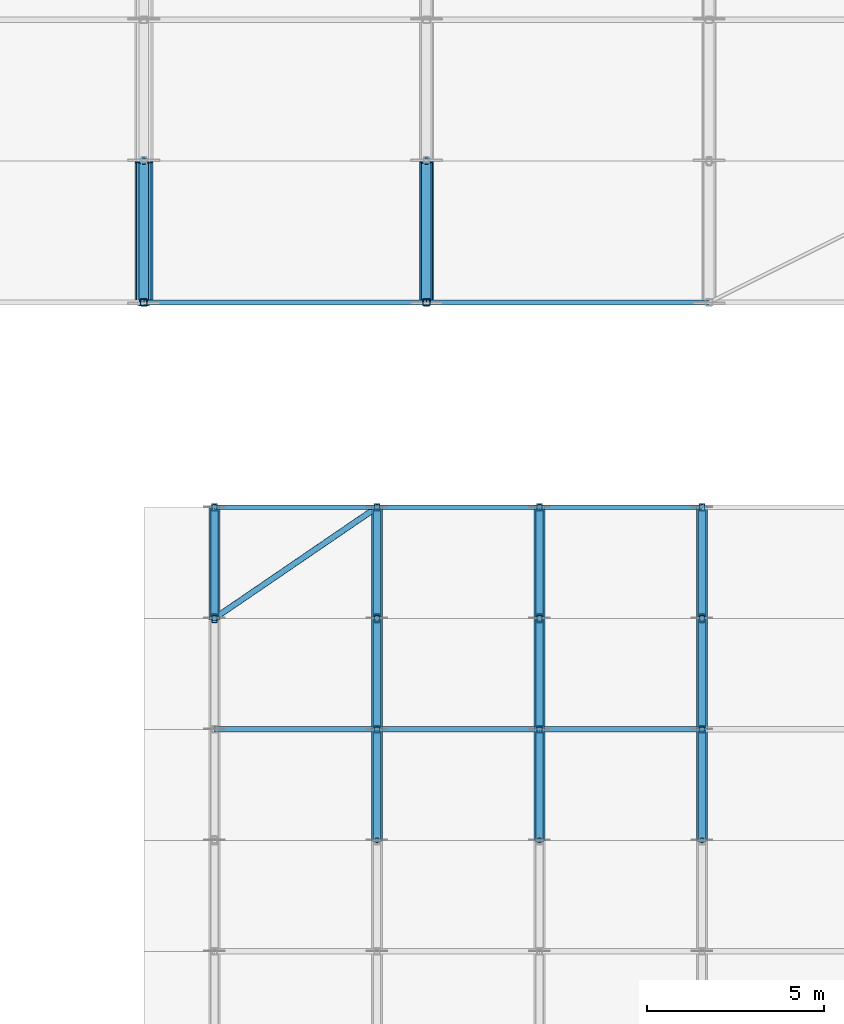
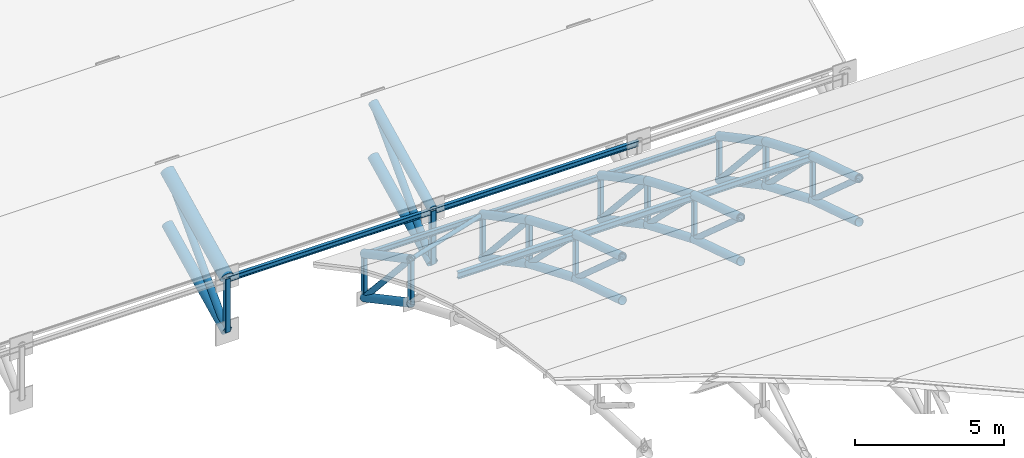
# One storey, part 43 of 98: 58 members.
"""IFC4 building model written with IfcOpenShell, lengths in metres."""

from ifc_helpers import new_model, si_unit, direction, frame, origin, origin_2d, place, context, subcontext, project, spatial, hollow_rectangle, hollow_circle, i_section, extrude, material, material_profile, profile_set, type_object, element, save


model = new_model("IFC4")

# Units and contexts
model_context = context("Model", 3, precision=1e-05, world=origin(), true_north=direction((0.0, 1.0)))
body_context = subcontext(model_context, "Body", "Model", "MODEL_VIEW")
ifc_project = project(units=[si_unit("LENGTHUNIT", "METRE"), si_unit("AREAUNIT", "SQUARE_METRE"), si_unit("VOLUMEUNIT", "CUBIC_METRE"), si_unit("PLANEANGLEUNIT", "RADIAN"), si_unit("MASSUNIT", "GRAM", prefix="KILO")], contexts=[model_context])

# Site, building, storey
site_placement = place(None, origin())
site = spatial("IfcSite", under=ifc_project, at=site_placement, CompositionType="ELEMENT")
building_placement = place(site_placement, origin())
building = spatial("IfcBuilding", under=site, at=building_placement, Name="Tlacozan Convention Centre", CompositionType="ELEMENT")
storey_placement = place(building_placement, frame((0.0, 0.0, 25.800048828125)))
storey = spatial("IfcBuildingStorey", under=building, at=storey_placement, Name="Roof", CompositionType="ELEMENT", Elevation=25.800048828125)

# Members
ifc_material_1 = material(Name="Steel ASTM A500 Grade C", Category="steel")
ifc_material_profile_1 = material_profile(ifc_material_1, hollow_circle(Radius=0.203125, WallThickness=0.015869140625, at=origin_2d()), Name="OC 406.4x15.9")
ifc_profile_set_1 = profile_set([ifc_material_profile_1], Name="Steel ASTM A500 Grade C")
member_type_1 = type_object("IfcMemberType", Name="Arch Bottom Chord OC 406.4x15.9", PredefinedType="CHORD", material=ifc_profile_set_1)
for number, where, z_axis, x_axis, name in (
    (1, (144.0, 62.0, -12.800048828125), (0.0, 0.897300183135, 0.441420866459), (-1.0, 0.0, 0.0), "V2A Roof Truss 19 Bottom Chord 1"),
    (2, (152.0, 62.0, -12.800048828125), (0.0, 0.897300183135, 0.441420866459), (-1.0, 0.0, 0.0), "V2A Roof Truss 20 Bottom Chord 1"),
):
    element("IfcMember", number, at=place(storey_placement, frame(where, z_axis=z_axis, x_axis=x_axis)), inside=storey, type_object=member_type_1, Name=name, PredefinedType="CHORD", context=body_context, shape_type="SweptSolid", body=[
        extrude(hollow_circle(Radius=0.203125, WallThickness=0.015869140625, at=origin_2d()), origin(), (0.0, 0.0, 1.0), 4.457763671875),
    ])
ifc_material_profile_2 = material_profile(ifc_material_1, hollow_circle(Radius=0.25390625, WallThickness=0.01904296875, at=origin_2d()), Name="OC 508.0x19.1")
ifc_profile_set_2 = profile_set([ifc_material_profile_2], Name="Steel ASTM A500 Grade C")
member_type_2 = type_object("IfcMemberType", Name="Arch Top Chord OC 508x19.1", PredefinedType="CHORD", material=ifc_profile_set_2)
member_1_placement = place(storey_placement, frame((144.0, 62.0, -10.60009765625), z_axis=(0.0, 0.897300183135, 0.441420866459), x_axis=(-1.0, 0.0, 0.0)))
element("IfcMember", 3, at=member_1_placement, inside=storey, type_object=member_type_2, Name="V2A Roof Truss 19 Top Chord 1", PredefinedType="CHORD", context=body_context, shape_type="SweptSolid", body=[
    extrude(hollow_circle(Radius=0.25390625, WallThickness=0.01904296875, at=origin_2d()), origin(), (0.0, 0.0, 1.0), 4.457763671875),
])
ifc_material_profile_3 = material_profile(ifc_material_1, hollow_circle(Radius=0.136474609375, WallThickness=0.0126953125, at=origin_2d()), Name="OC 273.1x12.7")
ifc_profile_set_3 = profile_set([ifc_material_profile_3], Name="Steel ASTM A500 Grade C")
member_type_3 = type_object("IfcMemberType", Name="Arch Web Diagonal OC 273.1x12.7", PredefinedType="BRACE", material=ifc_profile_set_3)
for number, where, z_axis, x_axis, name in (
    (4, (144.0, 62.0, -12.800048828125), (0.0, 0.69244032859, 0.721475149497), (-1.0, 0.0, 0.0), "V2A Roof Truss 19 Web Diagonal 1"),
    (5, (152.0, 62.0, -12.800048828125), (0.0, 0.69244032859, 0.721475149497), (-1.0, 0.0, 0.0), "V2A Roof Truss 20 Web Diagonal 1"),
):
    element("IfcMember", number, at=place(storey_placement, frame(where, z_axis=z_axis, x_axis=x_axis)), inside=storey, type_object=member_type_3, Name=name, PredefinedType="BRACE", context=body_context, shape_type="SweptSolid", body=[
        extrude(hollow_circle(Radius=0.136474609375, WallThickness=0.0126953125, at=origin_2d()), origin(), (0.0, 0.0, 1.0), 5.776611328125),
    ])
ifc_material_profile_4 = material_profile(ifc_material_1, hollow_rectangle(XDim=0.203125, YDim=0.203125, WallThickness=0.0126953125, InnerFilletRadius=0.0126953125, OuterFilletRadius=0.02490234375, at=origin_2d()), Name="OR 203x203x12.7")
ifc_profile_set_4 = profile_set([ifc_material_profile_4], Name="Steel ASTM A500 Grade C")
member_type_4 = type_object("IfcMemberType", Name="Arch Web Strut OR 203x203x12.7", PredefinedType="STRUT", material=ifc_profile_set_4)
for number, where, z_axis, x_axis, name in (
    (6, (144.0, 62.0, -12.800048828125), (0.0, 0.0, 1.0), (1.0, 0.0, 0.0), "V2A Roof Truss 19 Vertical Strut 1"),
    (7, (152.0, 62.0, -12.800048828125), (0.0, 0.0, 1.0), (1.0, 0.0, 0.0), "V2A Roof Truss 20 Vertical Strut 1"),
):
    element("IfcMember", number, at=place(storey_placement, frame(where, z_axis=z_axis, x_axis=x_axis)), inside=storey, type_object=member_type_4, Name=name, PredefinedType="STRUT", context=body_context, shape_type="SweptSolid", body=[
        extrude(hollow_rectangle(XDim=0.203125, YDim=0.203125, WallThickness=0.0126953125, InnerFilletRadius=0.0126953125, OuterFilletRadius=0.02490234375, at=origin_2d()), origin(), (0.0, 0.0, 1.0), 2.199951171875),
    ])
ifc_material_profile_5 = material_profile(ifc_material_1, hollow_circle(Radius=0.084228515625, WallThickness=0.007080078125, at=origin_2d()), Name="OC 168.3x7.1")
ifc_profile_set_5 = profile_set([ifc_material_profile_5], Name="Steel ASTM A500 Grade C")
member_type_5 = type_object("IfcMemberType", Name="Canopy Tie Brace OC 168.3x7.1", PredefinedType="BRACE", material=ifc_profile_set_5)
member_2_placement = place(storey_placement, frame((146.0, 53.058349609375, -5.124755859375), z_axis=(0.790806198317, 0.540075053601, -0.288000856218), x_axis=(-0.563970393817, 0.825795007794, 0.0)))
element("IfcMember", 8, at=member_2_placement, inside=storey, type_object=member_type_5, Name="V3A Roof Truss Plan Brace 1.12", PredefinedType="BRACE", context=body_context, shape_type="SweptSolid", body=[
    extrude(hollow_circle(Radius=0.084228515625, WallThickness=0.007080078125, at=origin_2d()), origin(), (0.0, 0.0, 1.0), 5.81689453125),
])
ifc_material_2 = material(Name="Steel ASTM A992 Grade 50", Category="steel")
ifc_material_profile_6 = material_profile(ifc_material_2, i_section(OverallWidth=0.14697265625, OverallDepth=0.261962890625, WebThickness=0.006591796875, FlangeThickness=0.01123046875, FilletRadius=0.008056640625, at=origin_2d()), Name="IR 254x38.5")
ifc_profile_set_6 = profile_set([ifc_material_profile_6], Name="Steel ASTM A992 Grade 50")
member_type_6 = type_object("IfcMemberType", Name="Plenary Acoustic Purlin IR 254x38.5", PredefinedType="PURLIN", material=ifc_profile_set_6)
member_3_placement = place(storey_placement, frame((146.0, 49.916748046875, -3.87939453125), z_axis=(1.0, 0.0, 0.0), x_axis=(0.0, 1.0, 0.0)))
element("IfcMember", 9, at=member_3_placement, inside=storey, type_object=member_type_6, Name="V3A Roof Truss Purlin 1.11", PredefinedType="PURLIN", context=body_context, shape_type="SweptSolid", body=[
    extrude(i_section(OverallWidth=0.14697265625, OverallDepth=0.261962890625, WebThickness=0.006591796875, FlangeThickness=0.01123046875, FilletRadius=0.008056640625, at=origin_2d()), origin(), (0.0, 0.0, 1.0), 4.60009765625),
])
member_4_placement = place(storey_placement, frame((150.60009765625, 49.916748046875, -3.87939453125), z_axis=(1.0, 0.0, 0.0), x_axis=(0.0, 1.0, 0.0)))
element("IfcMember", 10, at=member_4_placement, inside=storey, type_object=member_type_6, Name="V3A Roof Truss Purlin 2.11", PredefinedType="PURLIN", context=body_context, shape_type="SweptSolid", body=[
    extrude(i_section(OverallWidth=0.14697265625, OverallDepth=0.261962890625, WebThickness=0.006591796875, FlangeThickness=0.01123046875, FilletRadius=0.008056640625, at=origin_2d()), origin(), (0.0, 0.0, 1.0), 4.599853515625),
])
member_5_placement = place(storey_placement, frame((155.199951171875, 49.916748046875, -3.87939453125), z_axis=(1.0, 0.0, 0.0), x_axis=(0.0, 1.0, 0.0)))
element("IfcMember", 11, at=member_5_placement, inside=storey, type_object=member_type_6, Name="V3A Roof Truss Purlin 3.11", PredefinedType="PURLIN", context=body_context, shape_type="SweptSolid", body=[
    extrude(i_section(OverallWidth=0.14697265625, OverallDepth=0.261962890625, WebThickness=0.006591796875, FlangeThickness=0.01123046875, FilletRadius=0.008056640625, at=origin_2d()), origin(), (0.0, 0.0, 1.0), 4.60009765625),
])
ifc_material_profile_7 = material_profile(ifc_material_1, hollow_circle(Radius=0.161865234375, WallThickness=0.0126953125, at=origin_2d()), Name="OC 323.9x12.7")
ifc_profile_set_7 = profile_set([ifc_material_profile_7], Name="Steel ASTM A500 Grade C")
member_type_7 = type_object("IfcMemberType", Name="Plenary Arch Chord OC 323.9x12.7", PredefinedType="CHORD", material=ifc_profile_set_7)
for number, where, z_axis, x_axis, name in (
    (12, (146.0, 53.058349609375, -5.124755859375), (0.0, 0.882379514235, -0.47053840742), (-1.0, 0.0, 0.0), "V3A Roof Truss 1 Top Chord 12"),
    (13, (146.0, 53.058349609375, -6.9248046875), (0.0, 0.882379514235, -0.47053840742), (-1.0, 0.0, 0.0), "V3A Roof Truss 1 Bottom Chord 12"),
):
    element("IfcMember", number, at=place(storey_placement, frame(where, z_axis=z_axis, x_axis=x_axis)), inside=storey, type_object=member_type_7, Name=name, PredefinedType="CHORD", context=body_context, shape_type="SweptSolid", body=[
        extrude(hollow_circle(Radius=0.161865234375, WallThickness=0.0126953125, at=origin_2d()), origin(), (0.0, 0.0, 1.0), 3.560302734375),
    ])
for number, where, z_axis, x_axis, name in (
    (14, (150.60009765625, 46.77490234375, -2.82861328125), (0.0, 0.954132369199, -0.299385073186), (-1.0, 0.0, 0.0), "V3A Roof Truss 2 Top Chord 10"),
    (15, (150.60009765625, 46.77490234375, -4.628662109375), (0.0, 0.954132369199, -0.299385073186), (-1.0, 0.0, 0.0), "V3A Roof Truss 2 Bottom Chord 10"),
):
    element("IfcMember", number, at=place(storey_placement, frame(where, z_axis=z_axis, x_axis=x_axis)), inside=storey, type_object=member_type_7, Name=name, PredefinedType="CHORD", context=body_context, shape_type="SweptSolid", body=[
        extrude(hollow_circle(Radius=0.161865234375, WallThickness=0.0126953125, at=origin_2d()), origin(), (0.0, 0.0, 1.0), 3.29296875),
    ])
for number, where, z_axis, x_axis, name in (
    (16, (150.60009765625, 49.916748046875, -3.814453125), (0.0, 0.922941057271, -0.384941300464), (-1.0, 0.0, 0.0), "V3A Roof Truss 2 Top Chord 11"),
    (17, (150.60009765625, 49.916748046875, -5.614501953125), (0.0, 0.922941057271, -0.384941300464), (-1.0, 0.0, 0.0), "V3A Roof Truss 2 Bottom Chord 11"),
):
    element("IfcMember", number, at=place(storey_placement, frame(where, z_axis=z_axis, x_axis=x_axis)), inside=storey, type_object=member_type_7, Name=name, PredefinedType="CHORD", context=body_context, shape_type="SweptSolid", body=[
        extrude(hollow_circle(Radius=0.161865234375, WallThickness=0.0126953125, at=origin_2d()), origin(), (0.0, 0.0, 1.0), 3.40380859375),
    ])
for number, where, z_axis, x_axis, name in (
    (18, (150.60009765625, 53.058349609375, -5.124755859375), (0.0, 0.882379514235, -0.47053840742), (-1.0, 0.0, 0.0), "V3A Roof Truss 2 Top Chord 12"),
    (19, (150.60009765625, 53.058349609375, -6.9248046875), (0.0, 0.882379514235, -0.47053840742), (-1.0, 0.0, 0.0), "V3A Roof Truss 2 Bottom Chord 12"),
):
    element("IfcMember", number, at=place(storey_placement, frame(where, z_axis=z_axis, x_axis=x_axis)), inside=storey, type_object=member_type_7, Name=name, PredefinedType="CHORD", context=body_context, shape_type="SweptSolid", body=[
        extrude(hollow_circle(Radius=0.161865234375, WallThickness=0.0126953125, at=origin_2d()), origin(), (0.0, 0.0, 1.0), 3.560302734375),
    ])
for number, where, z_axis, x_axis, name in (
    (20, (155.199951171875, 46.77490234375, -2.82861328125), (0.0, 0.954132369199, -0.299385073186), (-1.0, 0.0, 0.0), "V3A Roof Truss 3 Top Chord 10"),
    (21, (155.199951171875, 46.77490234375, -4.628662109375), (0.0, 0.954132369199, -0.299385073186), (-1.0, 0.0, 0.0), "V3A Roof Truss 3 Bottom Chord 10"),
):
    element("IfcMember", number, at=place(storey_placement, frame(where, z_axis=z_axis, x_axis=x_axis)), inside=storey, type_object=member_type_7, Name=name, PredefinedType="CHORD", context=body_context, shape_type="SweptSolid", body=[
        extrude(hollow_circle(Radius=0.161865234375, WallThickness=0.0126953125, at=origin_2d()), origin(), (0.0, 0.0, 1.0), 3.29296875),
    ])
for number, where, z_axis, x_axis, name in (
    (22, (155.199951171875, 49.916748046875, -3.814453125), (0.0, 0.922941057271, -0.384941300464), (-1.0, 0.0, 0.0), "V3A Roof Truss 3 Top Chord 11"),
    (23, (155.199951171875, 49.916748046875, -5.614501953125), (0.0, 0.922941057271, -0.384941300464), (-1.0, 0.0, 0.0), "V3A Roof Truss 3 Bottom Chord 11"),
):
    element("IfcMember", number, at=place(storey_placement, frame(where, z_axis=z_axis, x_axis=x_axis)), inside=storey, type_object=member_type_7, Name=name, PredefinedType="CHORD", context=body_context, shape_type="SweptSolid", body=[
        extrude(hollow_circle(Radius=0.161865234375, WallThickness=0.0126953125, at=origin_2d()), origin(), (0.0, 0.0, 1.0), 3.40380859375),
    ])
for number, where, z_axis, x_axis, name in (
    (24, (155.199951171875, 53.058349609375, -5.124755859375), (0.0, 0.882379514235, -0.47053840742), (-1.0, 0.0, 0.0), "V3A Roof Truss 3 Top Chord 12"),
    (25, (155.199951171875, 53.058349609375, -6.9248046875), (0.0, 0.882379514235, -0.47053840742), (-1.0, 0.0, 0.0), "V3A Roof Truss 3 Bottom Chord 12"),
):
    element("IfcMember", number, at=place(storey_placement, frame(where, z_axis=z_axis, x_axis=x_axis)), inside=storey, type_object=member_type_7, Name=name, PredefinedType="CHORD", context=body_context, shape_type="SweptSolid", body=[
        extrude(hollow_circle(Radius=0.161865234375, WallThickness=0.0126953125, at=origin_2d()), origin(), (0.0, 0.0, 1.0), 3.560302734375),
    ])
for number, where, z_axis, x_axis, name in (
    (26, (159.800048828125, 46.77490234375, -2.82861328125), (0.0, 0.954132369199, -0.299385073186), (-1.0, 0.0, 0.0), "V3A Roof Truss 4 Top Chord 10"),
    (27, (159.800048828125, 46.77490234375, -4.628662109375), (0.0, 0.954132369199, -0.299385073186), (-1.0, 0.0, 0.0), "V3A Roof Truss 4 Bottom Chord 10"),
):
    element("IfcMember", number, at=place(storey_placement, frame(where, z_axis=z_axis, x_axis=x_axis)), inside=storey, type_object=member_type_7, Name=name, PredefinedType="CHORD", context=body_context, shape_type="SweptSolid", body=[
        extrude(hollow_circle(Radius=0.161865234375, WallThickness=0.0126953125, at=origin_2d()), origin(), (0.0, 0.0, 1.0), 3.29296875),
    ])
for number, where, z_axis, x_axis, name in (
    (28, (159.800048828125, 49.916748046875, -3.814453125), (0.0, 0.922941057271, -0.384941300464), (-1.0, 0.0, 0.0), "V3A Roof Truss 4 Top Chord 11"),
    (29, (159.800048828125, 49.916748046875, -5.614501953125), (0.0, 0.922941057271, -0.384941300464), (-1.0, 0.0, 0.0), "V3A Roof Truss 4 Bottom Chord 11"),
):
    element("IfcMember", number, at=place(storey_placement, frame(where, z_axis=z_axis, x_axis=x_axis)), inside=storey, type_object=member_type_7, Name=name, PredefinedType="CHORD", context=body_context, shape_type="SweptSolid", body=[
        extrude(hollow_circle(Radius=0.161865234375, WallThickness=0.0126953125, at=origin_2d()), origin(), (0.0, 0.0, 1.0), 3.40380859375),
    ])
for number, where, z_axis, x_axis, name in (
    (30, (159.800048828125, 53.058349609375, -5.124755859375), (0.0, 0.882379514235, -0.47053840742), (-1.0, 0.0, 0.0), "V3A Roof Truss 4 Top Chord 12"),
    (31, (159.800048828125, 53.058349609375, -6.9248046875), (0.0, 0.882379514235, -0.47053840742), (-1.0, 0.0, 0.0), "V3A Roof Truss 4 Bottom Chord 12"),
):
    element("IfcMember", number, at=place(storey_placement, frame(where, z_axis=z_axis, x_axis=x_axis)), inside=storey, type_object=member_type_7, Name=name, PredefinedType="CHORD", context=body_context, shape_type="SweptSolid", body=[
        extrude(hollow_circle(Radius=0.161865234375, WallThickness=0.0126953125, at=origin_2d()), origin(), (0.0, 0.0, 1.0), 3.560302734375),
    ])
ifc_material_profile_8 = material_profile(ifc_material_1, hollow_circle(Radius=0.109619140625, WallThickness=0.009521484375, at=origin_2d()), Name="OC 219.1x9.5")
ifc_profile_set_8 = profile_set([ifc_material_profile_8], Name="Steel ASTM A500 Grade C")
member_type_8 = type_object("IfcMemberType", Name="Plenary Web Diagonal OC 219.1x9.5", PredefinedType="BRACE", material=ifc_profile_set_8)
member_6_placement = place(storey_placement, frame((146.0, 53.058349609375, -5.124755859375), z_axis=(0.0, 0.67058986077, -0.741828308056), x_axis=(-1.0, 0.0, 0.0)))
element("IfcMember", 32, at=member_6_placement, inside=storey, type_object=member_type_8, Name="V3A Roof Truss 1 Web Diagonal 12", PredefinedType="BRACE", context=body_context, shape_type="SweptSolid", body=[
    extrude(hollow_circle(Radius=0.109619140625, WallThickness=0.009521484375, at=origin_2d()), origin(), (0.0, 0.0, 1.0), 4.684814453125),
])
member_7_placement = place(storey_placement, frame((150.60009765625, 46.77490234375, -2.82861328125), z_axis=(0.0, 0.748220333314, -0.663450324302), x_axis=(-1.0, 0.0, 0.0)))
element("IfcMember", 33, at=member_7_placement, inside=storey, type_object=member_type_8, Name="V3A Roof Truss 2 Web Diagonal 10", PredefinedType="BRACE", context=body_context, shape_type="SweptSolid", body=[
    extrude(hollow_circle(Radius=0.109619140625, WallThickness=0.009521484375, at=origin_2d()), origin(), (0.0, 0.0, 1.0), 4.198974609375),
])
member_8_placement = place(storey_placement, frame((150.60009765625, 49.916748046875, -3.814453125), z_axis=(0.0, 0.710632333284, -0.703563562794), x_axis=(-1.0, 0.0, 0.0)))
element("IfcMember", 34, at=member_8_placement, inside=storey, type_object=member_type_8, Name="V3A Roof Truss 2 Web Diagonal 11", PredefinedType="BRACE", context=body_context, shape_type="SweptSolid", body=[
    extrude(hollow_circle(Radius=0.109619140625, WallThickness=0.009521484375, at=origin_2d()), origin(), (0.0, 0.0, 1.0), 4.4208984375),
])
member_9_placement = place(storey_placement, frame((150.60009765625, 53.058349609375, -5.124755859375), z_axis=(0.0, 0.67058986077, -0.741828308056), x_axis=(-1.0, 0.0, 0.0)))
element("IfcMember", 35, at=member_9_placement, inside=storey, type_object=member_type_8, Name="V3A Roof Truss 2 Web Diagonal 12", PredefinedType="BRACE", context=body_context, shape_type="SweptSolid", body=[
    extrude(hollow_circle(Radius=0.109619140625, WallThickness=0.009521484375, at=origin_2d()), origin(), (0.0, 0.0, 1.0), 4.684814453125),
])
member_10_placement = place(storey_placement, frame((155.199951171875, 46.77490234375, -2.82861328125), z_axis=(0.0, 0.748220333314, -0.663450324302), x_axis=(-1.0, 0.0, 0.0)))
element("IfcMember", 36, at=member_10_placement, inside=storey, type_object=member_type_8, Name="V3A Roof Truss 3 Web Diagonal 10", PredefinedType="BRACE", context=body_context, shape_type="SweptSolid", body=[
    extrude(hollow_circle(Radius=0.109619140625, WallThickness=0.009521484375, at=origin_2d()), origin(), (0.0, 0.0, 1.0), 4.198974609375),
])
member_11_placement = place(storey_placement, frame((155.199951171875, 49.916748046875, -3.814453125), z_axis=(0.0, 0.710632333284, -0.703563562794), x_axis=(-1.0, 0.0, 0.0)))
element("IfcMember", 37, at=member_11_placement, inside=storey, type_object=member_type_8, Name="V3A Roof Truss 3 Web Diagonal 11", PredefinedType="BRACE", context=body_context, shape_type="SweptSolid", body=[
    extrude(hollow_circle(Radius=0.109619140625, WallThickness=0.009521484375, at=origin_2d()), origin(), (0.0, 0.0, 1.0), 4.4208984375),
])
member_12_placement = place(storey_placement, frame((155.199951171875, 53.058349609375, -5.124755859375), z_axis=(0.0, 0.67058986077, -0.741828308056), x_axis=(-1.0, 0.0, 0.0)))
element("IfcMember", 38, at=member_12_placement, inside=storey, type_object=member_type_8, Name="V3A Roof Truss 3 Web Diagonal 12", PredefinedType="BRACE", context=body_context, shape_type="SweptSolid", body=[
    extrude(hollow_circle(Radius=0.109619140625, WallThickness=0.009521484375, at=origin_2d()), origin(), (0.0, 0.0, 1.0), 4.684814453125),
])
member_13_placement = place(storey_placement, frame((159.800048828125, 46.77490234375, -2.82861328125), z_axis=(0.0, 0.748220333314, -0.663450324302), x_axis=(-1.0, 0.0, 0.0)))
element("IfcMember", 39, at=member_13_placement, inside=storey, type_object=member_type_8, Name="V3A Roof Truss 4 Web Diagonal 10", PredefinedType="BRACE", context=body_context, shape_type="SweptSolid", body=[
    extrude(hollow_circle(Radius=0.109619140625, WallThickness=0.009521484375, at=origin_2d()), origin(), (0.0, 0.0, 1.0), 4.198974609375),
])
member_14_placement = place(storey_placement, frame((159.800048828125, 49.916748046875, -3.814453125), z_axis=(0.0, 0.710632333284, -0.703563562794), x_axis=(-1.0, 0.0, 0.0)))
element("IfcMember", 40, at=member_14_placement, inside=storey, type_object=member_type_8, Name="V3A Roof Truss 4 Web Diagonal 11", PredefinedType="BRACE", context=body_context, shape_type="SweptSolid", body=[
    extrude(hollow_circle(Radius=0.109619140625, WallThickness=0.009521484375, at=origin_2d()), origin(), (0.0, 0.0, 1.0), 4.4208984375),
])
member_15_placement = place(storey_placement, frame((159.800048828125, 53.058349609375, -5.124755859375), z_axis=(0.0, 0.67058986077, -0.741828308056), x_axis=(-1.0, 0.0, 0.0)))
element("IfcMember", 41, at=member_15_placement, inside=storey, type_object=member_type_8, Name="V3A Roof Truss 4 Web Diagonal 12", PredefinedType="BRACE", context=body_context, shape_type="SweptSolid", body=[
    extrude(hollow_circle(Radius=0.109619140625, WallThickness=0.009521484375, at=origin_2d()), origin(), (0.0, 0.0, 1.0), 4.684814453125),
])
ifc_material_profile_9 = material_profile(ifc_material_1, hollow_rectangle(XDim=0.15234375, YDim=0.203125, WallThickness=0.009521484375, InnerFilletRadius=0.009521484375, OuterFilletRadius=0.01904296875, at=origin_2d()), Name="OR 203x152x9.5")
ifc_profile_set_9 = profile_set([ifc_material_profile_9], Name="Steel ASTM A500 Grade C")
member_type_9 = type_object("IfcMemberType", Name="Plenary Web Strut OR 203x152x9.5", PredefinedType="STRUT", material=ifc_profile_set_9)
for number, where, z_axis, x_axis, name in (
    (42, (146.0, 56.199951171875, -8.60009765625), (0.0, 0.0, 1.0), (1.0, 0.0, 0.0), "V3A Roof Truss 1 Vertical Strut 13"),
    (43, (150.60009765625, 49.916748046875, -5.614501953125), (0.0, 0.0, 1.0), (1.0, 0.0, 0.0), "V3A Roof Truss 2 Vertical Strut 11"),
    (44, (150.60009765625, 56.199951171875, -8.60009765625), (0.0, 0.0, 1.0), (1.0, 0.0, 0.0), "V3A Roof Truss 2 Vertical Strut 13"),
    (45, (155.199951171875, 49.916748046875, -5.614501953125), (0.0, 0.0, 1.0), (1.0, 0.0, 0.0), "V3A Roof Truss 3 Vertical Strut 11"),
    (46, (155.199951171875, 56.199951171875, -8.60009765625), (0.0, 0.0, 1.0), (1.0, 0.0, 0.0), "V3A Roof Truss 3 Vertical Strut 13"),
    (47, (159.800048828125, 49.916748046875, -5.614501953125), (0.0, 0.0, 1.0), (1.0, 0.0, 0.0), "V3A Roof Truss 4 Vertical Strut 11"),
    (48, (159.800048828125, 56.199951171875, -8.60009765625), (0.0, 0.0, 1.0), (1.0, 0.0, 0.0), "V3A Roof Truss 4 Vertical Strut 13"),
):
    element("IfcMember", number, at=place(storey_placement, frame(where, z_axis=z_axis, x_axis=x_axis)), inside=storey, type_object=member_type_9, Name=name, PredefinedType="STRUT", context=body_context, shape_type="SweptSolid", body=[
        extrude(hollow_rectangle(XDim=0.15234375, YDim=0.203125, WallThickness=0.009521484375, InnerFilletRadius=0.009521484375, OuterFilletRadius=0.01904296875, at=origin_2d()), origin(), (0.0, 0.0, 1.0), 1.800048828125),
    ])
ifc_material_profile_10 = material_profile(ifc_material_1, hollow_circle(Radius=0.177734375, WallThickness=0.015869140625, at=origin_2d()), Name="OC 355.6x15.9")
ifc_profile_set_10 = profile_set([ifc_material_profile_10], Name="Steel ASTM A500 Grade C")
member_type_10 = type_object("IfcMemberType", Name="Secondary Arch Chord OC 355.6x15.9", PredefinedType="CHORD", material=ifc_profile_set_10)
member_16_placement = place(storey_placement, frame((152.0, 62.0, -10.60009765625), z_axis=(0.0, 0.897300183135, 0.441420866459), x_axis=(-1.0, 0.0, 0.0)))
element("IfcMember", 49, at=member_16_placement, inside=storey, type_object=member_type_10, Name="V2A Roof Truss 20 Top Chord 1", PredefinedType="CHORD", context=body_context, shape_type="SweptSolid", body=[
    extrude(hollow_circle(Radius=0.177734375, WallThickness=0.015869140625, at=origin_2d()), origin(), (0.0, 0.0, 1.0), 4.457763671875),
])
ifc_material_profile_11 = material_profile(ifc_material_2, i_section(OverallWidth=0.134033203125, OverallDepth=0.2099609375, WebThickness=0.00634765625, FlangeThickness=0.01025390625, FilletRadius=0.008056640625, at=origin_2d()), Name="IR 203x31.3")
ifc_profile_set_11 = profile_set([ifc_material_profile_11], Name="Steel ASTM A992 Grade 50")
member_type_11 = type_object("IfcMemberType", Name="Secondary Eave Purlin IR 203x31.3", PredefinedType="PURLIN", material=ifc_profile_set_11)
for number, where, z_axis, x_axis, name in (
    (50, (144.0, 62.0, -10.6650390625), (1.0, 0.0, 0.0), (0.0, 1.0, 0.0), "V2A Roof Truss Purlin 19.1"),
    (51, (152.0, 62.0, -10.6650390625), (1.0, 0.0, 0.0), (0.0, 1.0, 0.0), "V2A Roof Truss Purlin 20.1"),
):
    element("IfcMember", number, at=place(storey_placement, frame(where, z_axis=z_axis, x_axis=x_axis)), inside=storey, type_object=member_type_11, Name=name, PredefinedType="PURLIN", context=body_context, shape_type="SweptSolid", body=[
        extrude(i_section(OverallWidth=0.134033203125, OverallDepth=0.2099609375, WebThickness=0.00634765625, FlangeThickness=0.01025390625, FilletRadius=0.008056640625, at=origin_2d()), origin(), (0.0, 0.0, 1.0), 8.0),
    ])
member_17_placement = place(storey_placement, frame((146.0, 56.199951171875, -6.864990234375), z_axis=(1.0, 0.0, 0.0), x_axis=(0.0, 1.0, 0.0)))
element("IfcMember", 52, at=member_17_placement, inside=storey, type_object=member_type_11, Name="V3A Roof Truss Purlin 1.13", PredefinedType="PURLIN", context=body_context, shape_type="SweptSolid", body=[
    extrude(i_section(OverallWidth=0.134033203125, OverallDepth=0.2099609375, WebThickness=0.00634765625, FlangeThickness=0.01025390625, FilletRadius=0.008056640625, at=origin_2d()), origin(), (0.0, 0.0, 1.0), 4.60009765625),
])
member_18_placement = place(storey_placement, frame((150.60009765625, 56.199951171875, -6.864990234375), z_axis=(1.0, 0.0, 0.0), x_axis=(0.0, 1.0, 0.0)))
element("IfcMember", 53, at=member_18_placement, inside=storey, type_object=member_type_11, Name="V3A Roof Truss Purlin 2.13", PredefinedType="PURLIN", context=body_context, shape_type="SweptSolid", body=[
    extrude(i_section(OverallWidth=0.134033203125, OverallDepth=0.2099609375, WebThickness=0.00634765625, FlangeThickness=0.01025390625, FilletRadius=0.008056640625, at=origin_2d()), origin(), (0.0, 0.0, 1.0), 4.599853515625),
])
member_19_placement = place(storey_placement, frame((155.199951171875, 56.199951171875, -6.864990234375), z_axis=(1.0, 0.0, 0.0), x_axis=(0.0, 1.0, 0.0)))
element("IfcMember", 54, at=member_19_placement, inside=storey, type_object=member_type_11, Name="V3A Roof Truss Purlin 3.13", PredefinedType="PURLIN", context=body_context, shape_type="SweptSolid", body=[
    extrude(i_section(OverallWidth=0.134033203125, OverallDepth=0.2099609375, WebThickness=0.00634765625, FlangeThickness=0.01025390625, FilletRadius=0.008056640625, at=origin_2d()), origin(), (0.0, 0.0, 1.0), 4.60009765625),
])
ifc_material_profile_12 = material_profile(ifc_material_1, hollow_rectangle(XDim=0.15234375, YDim=0.25390625, WallThickness=0.0126953125, InnerFilletRadius=0.0126953125, OuterFilletRadius=0.02490234375, at=origin_2d()), Name="OR 254x152x12.7")
ifc_profile_set_12 = profile_set([ifc_material_profile_12], Name="Steel ASTM A500 Grade C")
member_type_12 = type_object("IfcMemberType", Name="Truss Secondary Strut OR 254x152x12.7", PredefinedType="STRUT", material=ifc_profile_set_12)
for number, where, z_axis, x_axis, name in (
    (55, (146.0, 53.058349609375, -6.9248046875), (0.0, 0.0, 1.0), (1.0, 0.0, 0.0), "V3A Roof Truss 1 Vertical Strut 12"),
    (56, (150.60009765625, 53.058349609375, -6.9248046875), (0.0, 0.0, 1.0), (1.0, 0.0, 0.0), "V3A Roof Truss 2 Vertical Strut 12"),
    (57, (155.199951171875, 53.058349609375, -6.9248046875), (0.0, 0.0, 1.0), (1.0, 0.0, 0.0), "V3A Roof Truss 3 Vertical Strut 12"),
    (58, (159.800048828125, 53.058349609375, -6.9248046875), (0.0, 0.0, 1.0), (1.0, 0.0, 0.0), "V3A Roof Truss 4 Vertical Strut 12"),
):
    element("IfcMember", number, at=place(storey_placement, frame(where, z_axis=z_axis, x_axis=x_axis)), inside=storey, type_object=member_type_12, Name=name, PredefinedType="STRUT", context=body_context, shape_type="SweptSolid", body=[
        extrude(hollow_rectangle(XDim=0.15234375, YDim=0.25390625, WallThickness=0.0126953125, InnerFilletRadius=0.0126953125, OuterFilletRadius=0.02490234375, at=origin_2d()), origin(), (0.0, 0.0, 1.0), 1.800048828125),
    ])

save(model, "model.ifc")
